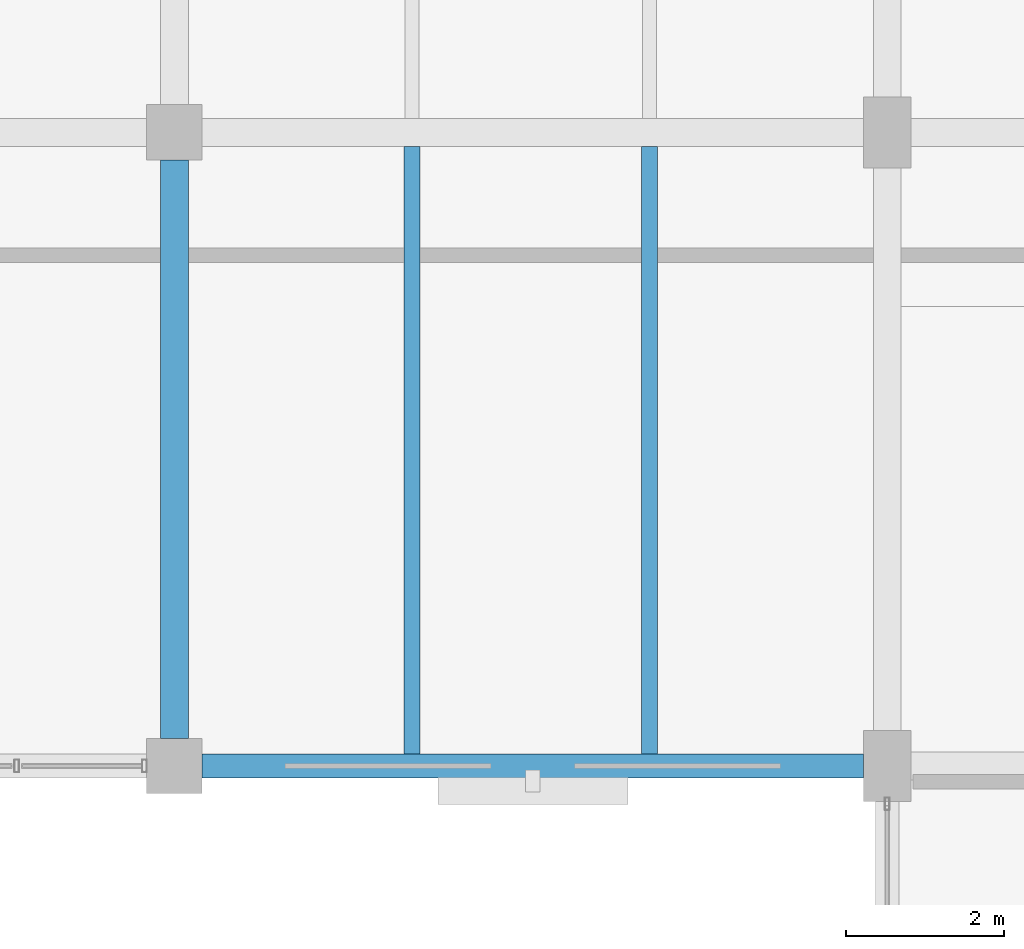
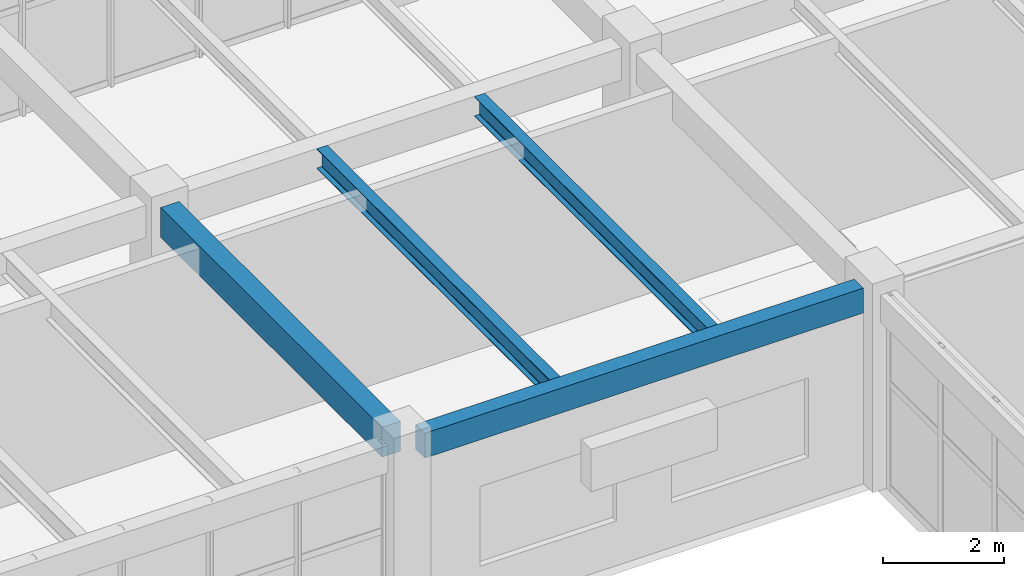
# One storey, part 86 of 128: 4 beams.
"""IFC4 building model written with IfcOpenShell, lengths in metres."""

from ifc_helpers import new_model, si_unit, derived_unit, direction, frame, origin, origin_2d, place, context, subcontext, project, spatial, rectangle, i_section, extrude, material, material_profile, profile_set, type_object, element, save


model = new_model("IFC4")

# Units and contexts
model_context = context("Model", 3, precision=1e-05, world=origin(), true_north=direction((0.0, 1.0)))
body_context = subcontext(model_context, "Body", "Model", "MODEL_VIEW")
ifc_project = project(units=[si_unit("LENGTHUNIT", "METRE"), si_unit("AREAUNIT", "SQUARE_METRE"), si_unit("VOLUMEUNIT", "CUBIC_METRE"), si_unit("PLANEANGLEUNIT", "RADIAN"), si_unit("MASSUNIT", "GRAM", prefix="KILO"), derived_unit("THERMALTRANSMITTANCEUNIT", [(si_unit("MASSUNIT", "GRAM", prefix="KILO"), 1), (si_unit("TIMEUNIT", "SECOND"), -3), (si_unit("THERMODYNAMICTEMPERATUREUNIT", "KELVIN"), -1)])], contexts=[model_context])

# Site, building, storey
site_placement = place(None, origin())
site = spatial("IfcSite", under=ifc_project, at=site_placement, CompositionType="ELEMENT")
building_placement = place(site_placement, origin())
building = spatial("IfcBuilding", under=site, at=building_placement, Name="Zhenchuan Archway Interchange", CompositionType="ELEMENT")
storey_placement = place(building_placement, frame((0.0, 0.0, 14.39990234375)))
storey = spatial("IfcBuildingStorey", under=building, at=storey_placement, Name="L03", CompositionType="ELEMENT", Elevation=14.39990234375)

# Beams
ifc_material_1 = material(Name="Concrete C40", Category="concrete")
ifc_material_profile_1 = material_profile(ifc_material_1, rectangle(XDim=0.35009765625, YDim=0.60009765625, at=origin_2d()), Name="RC 350x600")
ifc_profile_set_1 = profile_set([ifc_material_profile_1], Name="Concrete C40")
beam_type_1 = type_object("IfcBeamType", Name="BM_RC_350x600", PredefinedType="BEAM", material=ifc_profile_set_1)
beam_1_placement = place(storey_placement, frame((135.0, 88.35009765625, 3.64013671875), z_axis=(0.0, 1.0, 0.0), x_axis=(-1.0, 0.0, 0.0)))
element("IfcBeam", 1, at=beam_1_placement, inside=storey, type_object=beam_type_1, Name="Beam 16:M-N (L03)", PredefinedType="BEAM", context=body_context, shape_type="SweptSolid", body=[
    extrude(rectangle(XDim=0.35009765625, YDim=0.60009765625, at=origin_2d()), origin(), (0.0, 0.0, 1.0), 7.2998046875),
])
ifc_material_2 = material(Name="Steel Q355", Category="steel")
ifc_material_profile_2 = material_profile(ifc_material_2, i_section(OverallWidth=0.199951171875, OverallDepth=0.39990234375, WebThickness=0.008056640625, FlangeThickness=0.012939453125, FilletRadius=0.01611328125, at=origin_2d()), Name="HN 400x200")
ifc_profile_set_2 = profile_set([ifc_material_profile_2], Name="Steel Q355")
beam_type_2 = type_object("IfcBeamType", Name="JST_STL_HN400", PredefinedType="JOIST", material=ifc_profile_set_2)
for number, where, z_axis, x_axis, name in (
    (2, (138.0, 88.14990234375, 3.739990234375), (0.0, 1.0, 0.0), (-1.0, 0.0, 0.0), "Secondary joist 16-17/M-N #1 (L03)"),
    (3, (141.0, 88.14990234375, 3.739990234375), (0.0, 1.0, 0.0), (-1.0, 0.0, 0.0), "Secondary joist 16-17/M-N #2 (L03)"),
):
    element("IfcBeam", number, at=place(storey_placement, frame(where, z_axis=z_axis, x_axis=x_axis)), inside=storey, type_object=beam_type_2, Name=name, PredefinedType="JOIST", context=body_context, shape_type="SweptSolid", body=[
        extrude(i_section(OverallWidth=0.199951171875, OverallDepth=0.39990234375, WebThickness=0.008056640625, FlangeThickness=0.012939453125, FilletRadius=0.01611328125, at=origin_2d()), origin(), (0.0, 0.0, 1.0), 7.675048828125),
    ])
ifc_material_profile_3 = material_profile(ifc_material_1, rectangle(XDim=0.300048828125, YDim=0.5, at=origin_2d()), Name="RC 300x500")
ifc_profile_set_3 = profile_set([ifc_material_profile_3], Name="Concrete C40")
beam_type_3 = type_object("IfcBeamType", Name="SP_RC_300x500", PredefinedType="SPANDREL", material=ifc_profile_set_3)
beam_2_placement = place(storey_placement, frame((135.35009765625, 88.0, 3.690185546875), z_axis=(1.0, 0.0, 0.0), x_axis=(0.0, 1.0, 0.0)))
element("IfcBeam", 4, at=beam_2_placement, inside=storey, type_object=beam_type_3, Name="Beam M:16-17 (L03)", PredefinedType="SPANDREL", context=body_context, shape_type="SweptSolid", body=[
    extrude(rectangle(XDim=0.300048828125, YDim=0.5, at=origin_2d()), origin(), (0.0, 0.0, 1.0), 8.349853515625),
])

save(model, "model.ifc")
